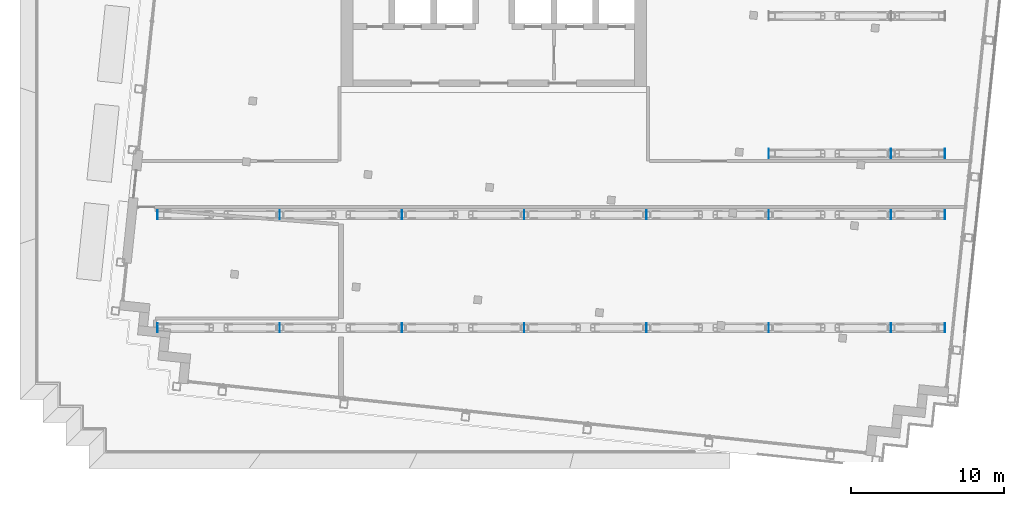
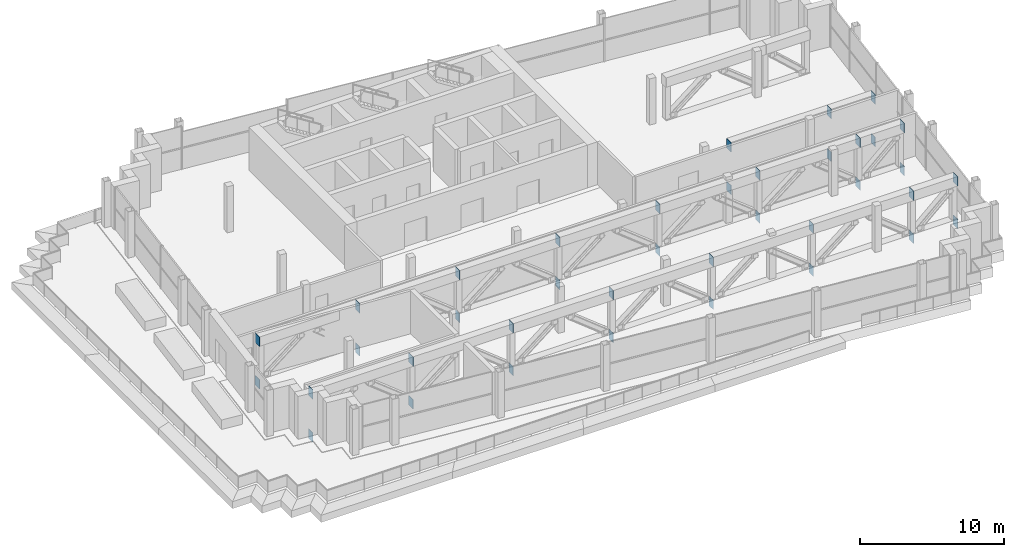
# One storey, part 9 of 18: 38 discrete accessories.
"""IFC4 building model written with IfcOpenShell, lengths in metres."""

from ifc_helpers import new_model, si_unit, direction, frame, origin, origin_2d, place, context, subcontext, project, spatial, rectangle, extrude, element, save


model = new_model("IFC4")

# Units and contexts
model_context = context("Model", 3, precision=1e-05, world=origin(), true_north=direction((0.0, 1.0)))
body_context = subcontext(model_context, "Body", "Model", "MODEL_VIEW")
ifc_project = project(units=[si_unit("LENGTHUNIT", "METRE"), si_unit("AREAUNIT", "SQUARE_METRE"), si_unit("VOLUMEUNIT", "CUBIC_METRE"), si_unit("PLANEANGLEUNIT", "RADIAN"), si_unit("MASSUNIT", "GRAM", prefix="KILO")], contexts=[model_context])

# Site, building, storey
site_placement = place(None, origin())
site = spatial("IfcSite", under=ifc_project, at=site_placement, CompositionType="ELEMENT")
building_placement = place(site_placement, origin())
building = spatial("IfcBuilding", under=site, at=building_placement, Name="Vidyagriha Tower", CompositionType="ELEMENT")
storey_placement = place(building_placement, frame((0.0, 0.0, 249.199951171875)))
storey = spatial("IfcBuildingStorey", under=building, at=storey_placement, Name="L64", CompositionType="ELEMENT", Elevation=249.199951171875)

# Discrete accessories
discrete_accessory_1_placement = place(storey_placement, frame((-22.014892578125, -9.39990234375, -0.7998046875), z_axis=(0.0, 0.0, 1.0), x_axis=(-1.0, 0.0, 0.0)))
element("IfcDiscreteAccessory", 1, at=discrete_accessory_1_placement, inside=storey, Name="Chord end plate", ObjectType="END PLATE", PredefinedType="USERDEFINED", context=body_context, shape_type="SweptSolid", body=[
    extrude(rectangle(XDim=0.030029296875, YDim=0.60009765625, at=origin_2d()), origin(), (0.0, 0.0, 1.0), 0.800048828125),
])
discrete_accessory_2_placement = place(storey_placement, frame((29.514892578125, -9.39990234375, -0.7998046875)))
element("IfcDiscreteAccessory", 2, at=discrete_accessory_2_placement, inside=storey, Name="Chord end plate", ObjectType="END PLATE", PredefinedType="USERDEFINED", context=body_context, shape_type="SweptSolid", body=[
    extrude(rectangle(XDim=0.030029296875, YDim=0.60009765625, at=origin_2d()), origin(), (0.0, 0.0, 1.0), 0.800048828125),
])
discrete_accessory_3_placement = place(storey_placement, frame((-22.014892578125, -9.39990234375, 2.81982421875), z_axis=(0.0, 0.0, 1.0), x_axis=(-1.0, 0.0, 0.0)))
element("IfcDiscreteAccessory", 3, at=discrete_accessory_3_placement, inside=storey, Name="Chord end plate", ObjectType="END PLATE", PredefinedType="USERDEFINED", context=body_context, shape_type="SweptSolid", body=[
    extrude(rectangle(XDim=0.030029296875, YDim=0.60009765625, at=origin_2d()), origin(), (0.0, 0.0, 1.0), 0.800048828125),
])
discrete_accessory_4_placement = place(storey_placement, frame((29.514892578125, -9.39990234375, 2.81982421875)))
element("IfcDiscreteAccessory", 4, at=discrete_accessory_4_placement, inside=storey, Name="Chord end plate", ObjectType="END PLATE", PredefinedType="USERDEFINED", context=body_context, shape_type="SweptSolid", body=[
    extrude(rectangle(XDim=0.030029296875, YDim=0.60009765625, at=origin_2d()), origin(), (0.0, 0.0, 1.0), 0.800048828125),
])
discrete_accessory_5_placement = place(storey_placement, frame((-22.014892578125, -2.0, -0.7998046875), z_axis=(0.0, 0.0, 1.0), x_axis=(-1.0, 0.0, 0.0)))
element("IfcDiscreteAccessory", 5, at=discrete_accessory_5_placement, inside=storey, Name="Chord end plate", ObjectType="END PLATE", PredefinedType="USERDEFINED", context=body_context, shape_type="SweptSolid", body=[
    extrude(rectangle(XDim=0.030029296875, YDim=0.60009765625, at=origin_2d()), origin(), (0.0, 0.0, 1.0), 0.800048828125),
])
discrete_accessory_6_placement = place(storey_placement, frame((29.514892578125, -2.0, -0.7998046875)))
element("IfcDiscreteAccessory", 6, at=discrete_accessory_6_placement, inside=storey, Name="Chord end plate", ObjectType="END PLATE", PredefinedType="USERDEFINED", context=body_context, shape_type="SweptSolid", body=[
    extrude(rectangle(XDim=0.030029296875, YDim=0.60009765625, at=origin_2d()), origin(), (0.0, 0.0, 1.0), 0.800048828125),
])
discrete_accessory_7_placement = place(storey_placement, frame((-22.014892578125, -2.0, 2.81982421875), z_axis=(0.0, 0.0, 1.0), x_axis=(-1.0, 0.0, 0.0)))
element("IfcDiscreteAccessory", 7, at=discrete_accessory_7_placement, inside=storey, Name="Chord end plate", ObjectType="END PLATE", PredefinedType="USERDEFINED", context=body_context, shape_type="SweptSolid", body=[
    extrude(rectangle(XDim=0.030029296875, YDim=0.60009765625, at=origin_2d()), origin(), (0.0, 0.0, 1.0), 0.800048828125),
])
discrete_accessory_8_placement = place(storey_placement, frame((29.514892578125, -2.0, 2.81982421875)))
element("IfcDiscreteAccessory", 8, at=discrete_accessory_8_placement, inside=storey, Name="Chord end plate", ObjectType="END PLATE", PredefinedType="USERDEFINED", context=body_context, shape_type="SweptSolid", body=[
    extrude(rectangle(XDim=0.030029296875, YDim=0.60009765625, at=origin_2d()), origin(), (0.0, 0.0, 1.0), 0.800048828125),
])
discrete_accessory_9_placement = place(storey_placement, frame((17.985107421875, 2.0, -0.7998046875), z_axis=(0.0, 0.0, 1.0), x_axis=(-1.0, 0.0, 0.0)))
element("IfcDiscreteAccessory", 9, at=discrete_accessory_9_placement, inside=storey, Name="Chord end plate", ObjectType="END PLATE", PredefinedType="USERDEFINED", context=body_context, shape_type="SweptSolid", body=[
    extrude(rectangle(XDim=0.030029296875, YDim=0.60009765625, at=origin_2d()), origin(), (0.0, 0.0, 1.0), 0.800048828125),
])
discrete_accessory_10_placement = place(storey_placement, frame((29.514892578125, 2.0, -0.7998046875)))
element("IfcDiscreteAccessory", 10, at=discrete_accessory_10_placement, inside=storey, Name="Chord end plate", ObjectType="END PLATE", PredefinedType="USERDEFINED", context=body_context, shape_type="SweptSolid", body=[
    extrude(rectangle(XDim=0.030029296875, YDim=0.60009765625, at=origin_2d()), origin(), (0.0, 0.0, 1.0), 0.800048828125),
])
discrete_accessory_11_placement = place(storey_placement, frame((17.985107421875, 2.0, 2.81982421875), z_axis=(0.0, 0.0, 1.0), x_axis=(-1.0, 0.0, 0.0)))
element("IfcDiscreteAccessory", 11, at=discrete_accessory_11_placement, inside=storey, Name="Chord end plate", ObjectType="END PLATE", PredefinedType="USERDEFINED", context=body_context, shape_type="SweptSolid", body=[
    extrude(rectangle(XDim=0.030029296875, YDim=0.60009765625, at=origin_2d()), origin(), (0.0, 0.0, 1.0), 0.800048828125),
])
discrete_accessory_12_placement = place(storey_placement, frame((29.514892578125, 2.0, 2.81982421875)))
element("IfcDiscreteAccessory", 12, at=discrete_accessory_12_placement, inside=storey, Name="Chord end plate", ObjectType="END PLATE", PredefinedType="USERDEFINED", context=body_context, shape_type="SweptSolid", body=[
    extrude(rectangle(XDim=0.030029296875, YDim=0.60009765625, at=origin_2d()), origin(), (0.0, 0.0, 1.0), 0.800048828125),
])
for number, where, name in (
    (13, (-14.009765625, -9.39990234375, -0.7998046875), "End plate ASTM A572 Grade 50 20mm"),
    (14, (-14.009765625, -9.39990234375, 2.81982421875), "End plate ASTM A572 Grade 50 20mm"),
    (15, (-6.009765625, -9.39990234375, -0.7998046875), "End plate ASTM A572 Grade 50 20mm"),
    (16, (-6.009765625, -9.39990234375, 2.81982421875), "End plate ASTM A572 Grade 50 20mm"),
    (17, (1.990234375, -9.39990234375, -0.7998046875), "End plate ASTM A572 Grade 50 20mm"),
    (18, (1.990234375, -9.39990234375, 2.81982421875), "End plate ASTM A572 Grade 50 20mm"),
    (19, (9.990234375, -9.39990234375, -0.7998046875), "End plate ASTM A572 Grade 50 20mm"),
    (20, (9.990234375, -9.39990234375, 2.81982421875), "End plate ASTM A572 Grade 50 20mm"),
    (21, (17.990234375, -9.39990234375, -0.7998046875), "End plate ASTM A572 Grade 50 20mm"),
    (22, (17.990234375, -9.39990234375, 2.81982421875), "End plate ASTM A572 Grade 50 20mm"),
    (23, (25.990234375, -9.39990234375, -0.7998046875), "End plate ASTM A572 Grade 50 20mm"),
    (24, (25.990234375, -9.39990234375, 2.81982421875), "End plate ASTM A572 Grade 50 20mm"),
    (25, (-14.009765625, -2.0, -0.7998046875), "End plate ASTM A572 Grade 50 20mm"),
    (26, (-14.009765625, -2.0, 2.81982421875), "End plate ASTM A572 Grade 50 20mm"),
    (27, (-6.009765625, -2.0, -0.7998046875), "End plate ASTM A572 Grade 50 20mm"),
    (28, (-6.009765625, -2.0, 2.81982421875), "End plate ASTM A572 Grade 50 20mm"),
    (29, (1.990234375, -2.0, -0.7998046875), "End plate ASTM A572 Grade 50 20mm"),
    (30, (1.990234375, -2.0, 2.81982421875), "End plate ASTM A572 Grade 50 20mm"),
    (31, (9.990234375, -2.0, -0.7998046875), "End plate ASTM A572 Grade 50 20mm"),
    (32, (9.990234375, -2.0, 2.81982421875), "End plate ASTM A572 Grade 50 20mm"),
    (33, (17.990234375, -2.0, -0.7998046875), "End plate ASTM A572 Grade 50 20mm"),
    (34, (17.990234375, -2.0, 2.81982421875), "End plate ASTM A572 Grade 50 20mm"),
    (35, (25.990234375, -2.0, -0.7998046875), "End plate ASTM A572 Grade 50 20mm"),
    (36, (25.990234375, -2.0, 2.81982421875), "End plate ASTM A572 Grade 50 20mm"),
    (37, (25.990234375, 2.0, -0.7998046875), "End plate ASTM A572 Grade 50 20mm"),
    (38, (25.990234375, 2.0, 2.81982421875), "End plate ASTM A572 Grade 50 20mm"),
):
    element("IfcDiscreteAccessory", number, at=place(storey_placement, frame(where)), inside=storey, Name=name, ObjectType="END PLATE", PredefinedType="USERDEFINED", context=body_context, shape_type="SweptSolid", body=[
        extrude(rectangle(XDim=0.02001953125, YDim=0.60009765625, at=origin_2d()), origin(), (0.0, 0.0, 1.0), 0.800048828125),
    ])

save(model, "model.ifc")
